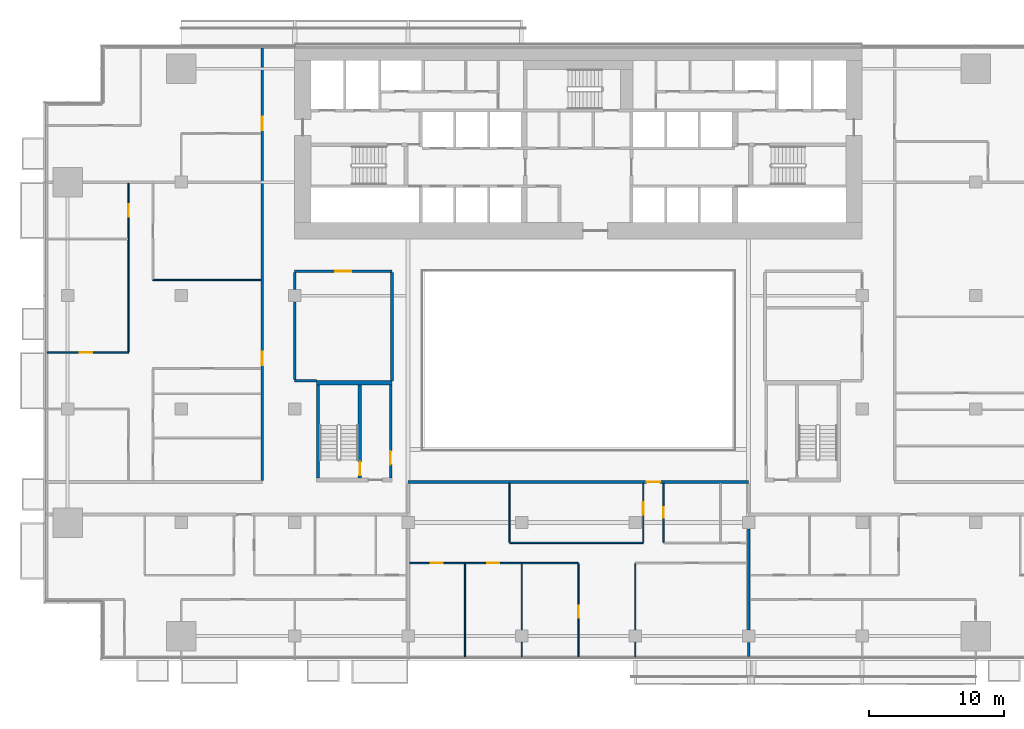
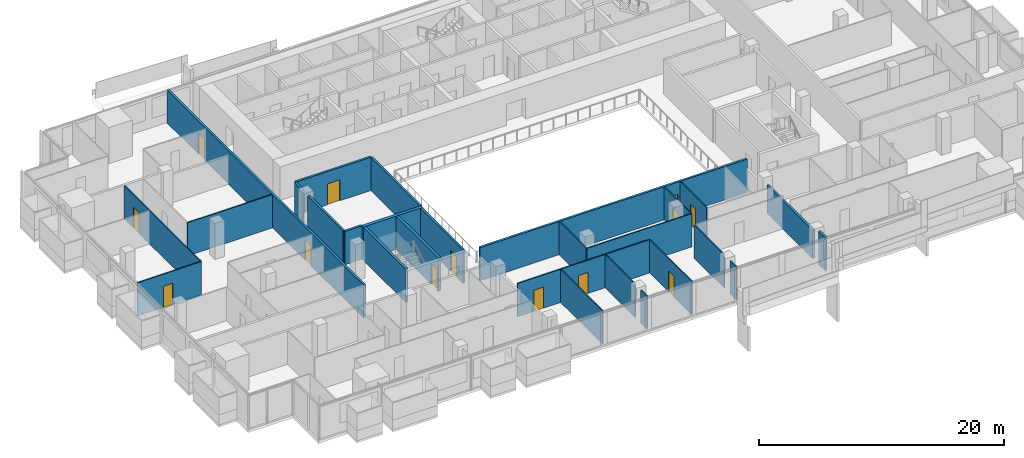
# One storey, part 18 of 27: 27 walls, 13 doors, 13 openings.
"""IFC4 building model written with IfcOpenShell, lengths in metres."""

from ifc_helpers import new_model, si_unit, direction, frame, frame_2d, origin, place, context, subcontext, project, spatial, rectangle, extrude, material, layer, layer_set, type_object, element, fill, save


model = new_model("IFC4")

# Units and contexts
model_context = context("Model", 3, precision=1e-05, world=origin(), true_north=direction((0.0, 1.0)))
body_context = subcontext(model_context, "Body", "Model", "MODEL_VIEW")
ifc_project = project(units=[si_unit("LENGTHUNIT", "METRE"), si_unit("AREAUNIT", "SQUARE_METRE"), si_unit("VOLUMEUNIT", "CUBIC_METRE"), si_unit("PLANEANGLEUNIT", "RADIAN"), si_unit("MASSUNIT", "GRAM", prefix="KILO")], contexts=[model_context])

# Site, building, storey
site_placement = place(None, origin())
site = spatial("IfcSite", under=ifc_project, at=site_placement, CompositionType="ELEMENT")
building_placement = place(site_placement, origin())
building = spatial("IfcBuilding", under=site, at=building_placement, Name="Saffron Gate Tower", CompositionType="ELEMENT")
storey_placement = place(building_placement, frame((0.0, 0.0, 44.39990234375)))
storey = spatial("IfcBuildingStorey", under=building, at=storey_placement, Name="L09", CompositionType="ELEMENT", Elevation=44.39990234375)

# Wall, opening, door
ifc_material_1 = material(Name="Gypsum board partition on steel studs", Category="steel")
ifc_layer_1 = layer(ifc_material_1, 0.199951171875)
ifc_layer_set_1 = layer_set([ifc_layer_1], Name="CW10 Core partition 200")
wall_type_1 = type_object("IfcWallType", Name="CW10 Core partition 200", PredefinedType="PARTITIONING", material=ifc_layer_set_1)
wall_1_placement = place(storey_placement, frame((73.699951171875, 43.5, 0.0), z_axis=(0.0, 0.0, 1.0), x_axis=(0.0, 1.0, 0.0)))
wall_1 = element("IfcWall", 1, at=wall_1_placement, inside=storey, type_object=wall_type_1, Name="Wall CW10-L09-D-4", PredefinedType="PARTITIONING", context=body_context, shape_type="SweptSolid", body=[
    extrude(rectangle(XDim=6.89990234375, YDim=0.199951171875, at=frame_2d((3.449951171875, 0.0))), origin(), (0.0, 0.0, 1.0), 3.320068359375),
])
opening_1_placement = place(wall_1_placement, frame((1.0, 0.0, 0.0)))
opening_1 = element("IfcOpeningElement", 2, at=opening_1_placement, cuts=wall_1, Name="Opening CR-19", PredefinedType="OPENING", context=body_context, shape_type="SweptSolid", body=[
    extrude(rectangle(XDim=1.0, YDim=2.10009765625, at=frame_2d((0.5, 1.050048828125))), frame((0.0, 0.10986328125, 0.0), z_axis=(0.0, -1.0, 0.0), x_axis=(1.0, 0.0, 0.0)), (0.0, 0.0, 1.0), 0.219970703125),
])
ifc_material_2 = material(Name="Steel fire door set", Category="steel")
door_type_1 = type_object("IfcDoorType", Name="CD4 Lobby door 1000x2100 EI 120", OperationType="NOTDEFINED", PredefinedType="DOOR", material=ifc_material_2)
door_1_placement = place(opening_1_placement, origin())
door_1 = element("IfcDoor", 3, at=door_1_placement, inside=storey, type_object=door_type_1, Name="DOOR CR-19", OperationType="SINGLE_SWING_RIGHT", OverallHeight=2.10009765625, OverallWidth=1.0, PredefinedType="DOOR", context=body_context, shape_type="SweptSolid", body=[
    extrude(rectangle(XDim=1.0, YDim=2.10009765625, at=frame_2d((0.5, 1.050048828125))), frame((0.0, 0.02490234375, 0.0), z_axis=(0.0, -1.0, 0.0), x_axis=(1.0, 0.0, 0.0)), (0.0, 0.0, 1.0), 0.050048828125),
])
fill(opening_1, door_1)

# Wall
ifc_material_3 = material(Name="Concrete C70", Category="concrete")
ifc_layer_2 = layer(ifc_material_3, 0.25)
ifc_layer_set_2 = layer_set([ifc_layer_2], Name="CW2 RC core wall 250 C70")
wall_type_2 = type_object("IfcWallType", Name="CW2 RC core wall 250 C70", PredefinedType="SOLIDWALL", material=ifc_layer_set_2)
wall_2_placement = place(storey_placement, frame((68.324951171875, 43.5, 0.0), z_axis=(0.0, 0.0, 1.0), x_axis=(0.0, 1.0, 0.0)))
element("IfcWall", 4, at=wall_2_placement, inside=storey, type_object=wall_type_2, Name="Wall CW2-L09-D-2", PredefinedType="SOLIDWALL", context=body_context, shape_type="SweptSolid", body=[
    extrude(rectangle(XDim=6.89990234375, YDim=0.25, at=frame_2d((3.449951171875, 0.0))), origin(), (0.0, 0.0, 1.0), 3.320068359375),
])

# Wall, opening, door
wall_3_placement = place(storey_placement, frame((71.425048828125, 43.5, 0.0), z_axis=(0.0, 0.0, 1.0), x_axis=(0.0, 1.0, 0.0)))
wall_3 = element("IfcWall", 5, at=wall_3_placement, inside=storey, type_object=wall_type_2, Name="Wall CW2-L09-D-3", PredefinedType="SOLIDWALL", context=body_context, shape_type="SweptSolid", body=[
    extrude(rectangle(XDim=6.89990234375, YDim=0.25, at=frame_2d((3.449951171875, 0.0))), origin(), (0.0, 0.0, 1.0), 3.320068359375),
])
opening_2_placement = place(wall_3_placement, frame((0.199951171875, 0.0, 0.0)))
opening_2 = element("IfcOpeningElement", 6, at=opening_2_placement, cuts=wall_3, Name="Opening CR-20", PredefinedType="OPENING", context=body_context, shape_type="SweptSolid", body=[
    extrude(rectangle(XDim=1.0, YDim=2.10009765625, at=frame_2d((0.5, 1.050048828125))), frame((0.0, 0.135009765625, 0.0), z_axis=(0.0, -1.0, 0.0), x_axis=(1.0, 0.0, 0.0)), (0.0, 0.0, 1.0), 0.27001953125),
])
door_type_2 = type_object("IfcDoorType", Name="CD5 Stair door 1000x2100 EI 120", OperationType="NOTDEFINED", PredefinedType="DOOR", material=ifc_material_2)
door_2_placement = place(opening_2_placement, origin())
door_2 = element("IfcDoor", 7, at=door_2_placement, inside=storey, type_object=door_type_2, Name="DOOR CR-20", OperationType="SINGLE_SWING_LEFT", OverallHeight=2.10009765625, OverallWidth=1.0, PredefinedType="DOOR", context=body_context, shape_type="SweptSolid", body=[
    extrude(rectangle(XDim=1.0, YDim=2.10009765625, at=frame_2d((0.5, 1.050048828125))), frame((0.0, 0.02490234375, 0.0), z_axis=(0.0, -1.0, 0.0), x_axis=(1.0, 0.0, 0.0)), (0.0, 0.0, 1.0), 0.050048828125),
])
fill(opening_2, door_2)

# Wall
ifc_layer_3 = layer(ifc_material_3, 0.300048828125)
ifc_layer_set_3 = layer_set([ifc_layer_3], Name="CW5 RC core wall 300 C70")
wall_type_3 = type_object("IfcWallType", Name="CW5 RC core wall 300 C70", PredefinedType="SOLIDWALL", material=ifc_layer_set_3)
wall_4_placement = place(storey_placement, frame((68.199951171875, 50.550048828125, 0.0), z_axis=(0.0, 0.0, 1.0), x_axis=(1.0, 0.0, 0.0)))
element("IfcWall", 8, at=wall_4_placement, inside=storey, type_object=wall_type_3, Name="Wall CW5-L09-D-5", PredefinedType="SOLIDWALL", context=body_context, shape_type="SweptSolid", body=[
    extrude(rectangle(XDim=5.60009765625, YDim=0.300048828125, at=frame_2d((2.800048828125, 0.0))), origin(), (0.0, 0.0, 1.0), 3.320068359375),
])

# Wall, openings, doors
ifc_material_4 = material(Name="Plasterboard on steel studs", Category="steel")
ifc_layer_4 = layer(ifc_material_4, 0.10009765625)
ifc_layer_set_4 = layer_set([ifc_layer_4], Name="PW1 Partition 100")
wall_type_4 = type_object("IfcWallType", Name="PW1 Partition 100", PredefinedType="PARTITIONING", material=ifc_layer_set_4)
wall_5_placement = place(storey_placement, frame((87.60009765625, 37.199951171875, 0.0), z_axis=(0.0, 0.0, 1.0), x_axis=(-1.0, 0.0, 0.0)))
wall_5 = element("IfcWall", 9, at=wall_5_placement, inside=storey, type_object=wall_type_4, Name="Partition A1-9", PredefinedType="PARTITIONING", context=body_context, shape_type="SweptSolid", body=[
    extrude(rectangle(XDim=12.5, YDim=0.10009765625, at=frame_2d((6.25, 0.0))), origin(), (0.0, 0.0, 1.0), 3.320068359375),
])
opening_3_placement = place(wall_5_placement, frame((5.85009765625, 0.0, 0.0)))
opening_3 = element("IfcOpeningElement", 10, at=opening_3_placement, cuts=wall_5, Name="Opening A1-14", PredefinedType="OPENING", context=body_context, shape_type="SweptSolid", body=[
    extrude(rectangle(XDim=0.89990234375, YDim=2.10009765625, at=frame_2d((0.449951171875, 1.050048828125))), frame((0.0, 0.06005859375, 0.0), z_axis=(0.0, -1.0, 0.0), x_axis=(1.0, 0.0, 0.0)), (0.0, 0.0, 1.0), 0.1201171875),
])
opening_4_placement = place(wall_5_placement, frame((10.050048828125, 0.0, 0.0)))
opening_4 = element("IfcOpeningElement", 11, at=opening_4_placement, cuts=wall_5, Name="Opening A1-13", PredefinedType="OPENING", context=body_context, shape_type="SweptSolid", body=[
    extrude(rectangle(XDim=0.89990234375, YDim=2.10009765625, at=frame_2d((0.449951171875, 1.050048828125))), frame((0.0, 0.06005859375, 0.0), z_axis=(0.0, -1.0, 0.0), x_axis=(1.0, 0.0, 0.0)), (0.0, 0.0, 1.0), 0.1201171875),
])
ifc_material_5 = material(Name="Timber door set", Category="wood")
door_type_3 = type_object("IfcDoorType", Name="RD1 Room door 900x2100", OperationType="NOTDEFINED", PredefinedType="DOOR", material=ifc_material_5)
door_3_placement = place(opening_3_placement, origin())
door_3 = element("IfcDoor", 12, at=door_3_placement, inside=storey, type_object=door_type_3, Name="Door A1-14", OperationType="SINGLE_SWING_RIGHT", OverallHeight=2.10009765625, OverallWidth=0.89990234375, PredefinedType="DOOR", context=body_context, shape_type="SweptSolid", body=[
    extrude(rectangle(XDim=0.89990234375, YDim=2.10009765625, at=frame_2d((0.449951171875, 1.050048828125))), frame((0.0, 0.02490234375, 0.0), z_axis=(0.0, -1.0, 0.0), x_axis=(1.0, 0.0, 0.0)), (0.0, 0.0, 1.0), 0.050048828125),
])
fill(opening_3, door_3)
door_4_placement = place(opening_4_placement, origin())
door_4 = element("IfcDoor", 13, at=door_4_placement, inside=storey, type_object=door_type_3, Name="Door A1-13", OperationType="SINGLE_SWING_RIGHT", OverallHeight=2.10009765625, OverallWidth=0.89990234375, PredefinedType="DOOR", context=body_context, shape_type="SweptSolid", body=[
    extrude(rectangle(XDim=0.89990234375, YDim=2.10009765625, at=frame_2d((0.449951171875, 1.050048828125))), frame((0.0, 0.02490234375, 0.0), z_axis=(0.0, -1.0, 0.0), x_axis=(1.0, 0.0, 0.0)), (0.0, 0.0, 1.0), 0.050048828125),
])
fill(opening_4, door_4)

# Wall
wall_6_placement = place(storey_placement, frame((82.5, 38.699951171875, 0.0), z_axis=(0.0, 0.0, 1.0), x_axis=(1.0, 0.0, 0.0)))
element("IfcWall", 14, at=wall_6_placement, inside=storey, type_object=wall_type_4, Name="Partition A1-11", PredefinedType="PARTITIONING", context=body_context, shape_type="SweptSolid", body=[
    extrude(rectangle(XDim=9.89990234375, YDim=0.10009765625, at=frame_2d((4.949951171875, 0.0))), origin(), (0.0, 0.0, 1.0), 3.320068359375),
])

# Wall, opening, door
wall_7_placement = place(storey_placement, frame((48.280029296875, 52.800048828125, 0.0), z_axis=(0.0, 0.0, 1.0), x_axis=(1.0, 0.0, 0.0)))
wall_7 = element("IfcWall", 15, at=wall_7_placement, inside=storey, type_object=wall_type_4, Name="Partition A1-33", PredefinedType="PARTITIONING", context=body_context, shape_type="SweptSolid", body=[
    extrude(rectangle(XDim=6.02001953125, YDim=0.10009765625, at=frame_2d((3.010009765625, 0.0))), origin(), (0.0, 0.0, 1.0), 3.320068359375),
])
opening_5_placement = place(wall_7_placement, frame((2.419921875, 0.0, 0.0)))
opening_5 = element("IfcOpeningElement", 16, at=opening_5_placement, cuts=wall_7, Name="Opening A1-24", PredefinedType="OPENING", context=body_context, shape_type="SweptSolid", body=[
    extrude(rectangle(XDim=0.89990234375, YDim=2.10009765625, at=frame_2d((0.449951171875, 1.050048828125))), frame((0.0, 0.06005859375, 0.0), z_axis=(0.0, -1.0, 0.0), x_axis=(1.0, 0.0, 0.0)), (0.0, 0.0, 1.0), 0.1201171875),
])
door_5_placement = place(opening_5_placement, origin())
door_5 = element("IfcDoor", 17, at=door_5_placement, inside=storey, type_object=door_type_3, Name="Door A1-24", OperationType="SINGLE_SWING_LEFT", OverallHeight=2.10009765625, OverallWidth=0.89990234375, PredefinedType="DOOR", context=body_context, shape_type="SweptSolid", body=[
    extrude(rectangle(XDim=0.89990234375, YDim=2.10009765625, at=frame_2d((0.449951171875, 1.050048828125))), frame((0.0, 0.02490234375, 0.0), z_axis=(0.0, -1.0, 0.0), x_axis=(1.0, 0.0, 0.0)), (0.0, 0.0, 1.0), 0.050048828125),
])
fill(opening_5, door_5)

# Wall
wall_8_placement = place(storey_placement, frame((56.10009765625, 58.16162109375, 0.0), z_axis=(0.0, 0.0, 1.0), x_axis=(1.0, 0.0, 0.0)))
element("IfcWall", 18, at=wall_8_placement, inside=storey, type_object=wall_type_4, Name="Partition A1-37", PredefinedType="PARTITIONING", context=body_context, shape_type="SweptSolid", body=[
    extrude(rectangle(XDim=8.0, YDim=0.10009765625, at=frame_2d((4.0, 0.0))), origin(), (0.0, 0.0, 1.0), 3.320068359375),
])

# Wall, opening, door
wall_9_placement = place(storey_placement, frame((54.300048828125, 52.85009765625, 0.0), z_axis=(0.0, 0.0, 1.0), x_axis=(0.0, 1.0, 0.0)))
wall_9 = element("IfcWall", 19, at=wall_9_placement, inside=storey, type_object=wall_type_4, Name="Partition A1-54", PredefinedType="PARTITIONING", context=body_context, shape_type="SweptSolid", body=[
    extrude(rectangle(XDim=12.449951171875, YDim=0.10009765625, at=frame_2d((6.22509765625, 0.0))), origin(), (0.0, 0.0, 1.0), 3.320068359375),
])
opening_6_placement = place(wall_9_placement, frame((10.0, 0.0, 0.0)))
opening_6 = element("IfcOpeningElement", 20, at=opening_6_placement, cuts=wall_9, Name="Opening A1-25", PredefinedType="OPENING", context=body_context, shape_type="SweptSolid", body=[
    extrude(rectangle(XDim=0.89990234375, YDim=2.10009765625, at=frame_2d((0.449951171875, 1.050048828125))), frame((0.0, 0.06005859375, 0.0), z_axis=(0.0, -1.0, 0.0), x_axis=(1.0, 0.0, 0.0)), (0.0, 0.0, 1.0), 0.1201171875),
])
door_6_placement = place(opening_6_placement, origin())
door_6 = element("IfcDoor", 21, at=door_6_placement, inside=storey, type_object=door_type_3, Name="Door A1-25", OperationType="SINGLE_SWING_RIGHT", OverallHeight=2.10009765625, OverallWidth=0.89990234375, PredefinedType="DOOR", context=body_context, shape_type="SweptSolid", body=[
    extrude(rectangle(XDim=0.89990234375, YDim=2.10009765625, at=frame_2d((0.449951171875, 1.050048828125))), frame((0.0, 0.02490234375, 0.0), z_axis=(0.0, -1.0, 0.0), x_axis=(1.0, 0.0, 0.0)), (0.0, 0.0, 1.0), 0.050048828125),
])
fill(opening_6, door_6)

# Walls
wall_10_placement = place(storey_placement, frame((79.199951171875, 37.14990234375, 0.0), z_axis=(0.0, 0.0, 1.0), x_axis=(0.0, -1.0, 0.0)))
element("IfcWall", 22, at=wall_10_placement, inside=storey, type_object=wall_type_4, Name="Partition A1-75", PredefinedType="PARTITIONING", context=body_context, shape_type="SweptSolid", body=[
    extrude(rectangle(XDim=6.869873046875, YDim=0.10009765625, at=frame_2d((3.43505859375, 0.0))), origin(), (0.0, 0.0, 1.0), 3.320068359375),
])
wall_11_placement = place(storey_placement, frame((82.5, 43.10009765625, 0.0), z_axis=(0.0, 0.0, 1.0), x_axis=(0.0, -1.0, 0.0)))
element("IfcWall", 23, at=wall_11_placement, inside=storey, type_object=wall_type_4, Name="Partition A1-76", PredefinedType="PARTITIONING", context=body_context, shape_type="SweptSolid", body=[
    extrude(rectangle(XDim=4.35009765625, YDim=0.10009765625, at=frame_2d((2.175048828125, 0.0))), origin(), (0.0, 0.0, 1.0), 3.320068359375),
])
wall_12_placement = place(storey_placement, frame((83.39990234375, 31.330078125, 0.0), z_axis=(0.0, 0.0, 1.0), x_axis=(0.0, -1.0, 0.0)))
element("IfcWall", 24, at=wall_12_placement, inside=storey, type_object=wall_type_4, Name="Partition A1-77", PredefinedType="PARTITIONING", context=body_context, shape_type="SweptSolid", body=[
    extrude(rectangle(XDim=1.050048828125, YDim=0.10009765625, at=frame_2d((0.52490234375, 0.0))), origin(), (0.0, 0.0, 1.0), 3.320068359375),
])
wall_13_placement = place(storey_placement, frame((83.39990234375, 37.14990234375, 0.0), z_axis=(0.0, 0.0, 1.0), x_axis=(0.0, -1.0, 0.0)))
element("IfcWall", 25, at=wall_13_placement, inside=storey, type_object=wall_type_4, Name="Partition A1-78", PredefinedType="PARTITIONING", context=body_context, shape_type="SweptSolid", body=[
    extrude(rectangle(XDim=4.8798828125, YDim=0.10009765625, at=frame_2d((2.43994140625, 0.0))), origin(), (0.0, 0.0, 1.0), 3.320068359375),
])

# Wall, opening, door
wall_14_placement = place(storey_placement, frame((87.60009765625, 30.280029296875, 0.0), z_axis=(0.0, 0.0, 1.0), x_axis=(0.0, 1.0, 0.0)))
wall_14 = element("IfcWall", 26, at=wall_14_placement, inside=storey, type_object=wall_type_4, Name="Partition A1-79", PredefinedType="PARTITIONING", context=body_context, shape_type="SweptSolid", body=[
    extrude(rectangle(XDim=6.869873046875, YDim=0.10009765625, at=frame_2d((3.43505859375, 0.0))), origin(), (0.0, 0.0, 1.0), 3.320068359375),
])
opening_7_placement = place(wall_14_placement, frame((2.8701171875, 0.0, 0.0)))
opening_7 = element("IfcOpeningElement", 27, at=opening_7_placement, cuts=wall_14, Name="Opening A1-15", PredefinedType="OPENING", context=body_context, shape_type="SweptSolid", body=[
    extrude(rectangle(XDim=0.89990234375, YDim=2.10009765625, at=frame_2d((0.449951171875, 1.050048828125))), frame((0.0, 0.06005859375, 0.0), z_axis=(0.0, -1.0, 0.0), x_axis=(1.0, 0.0, 0.0)), (0.0, 0.0, 1.0), 0.1201171875),
])
door_7_placement = place(opening_7_placement, origin())
door_7 = element("IfcDoor", 28, at=door_7_placement, inside=storey, type_object=door_type_3, Name="Door A1-15", OperationType="SINGLE_SWING_LEFT", OverallHeight=2.10009765625, OverallWidth=0.89990234375, PredefinedType="DOOR", context=body_context, shape_type="SweptSolid", body=[
    extrude(rectangle(XDim=0.89990234375, YDim=2.10009765625, at=frame_2d((0.449951171875, 1.050048828125))), frame((0.0, 0.02490234375, 0.0), z_axis=(0.0, -1.0, 0.0), x_axis=(1.0, 0.0, 0.0)), (0.0, 0.0, 1.0), 0.050048828125),
])
fill(opening_7, door_7)

# Walls
wall_15_placement = place(storey_placement, frame((91.800048828125, 31.330078125, 0.0), z_axis=(0.0, 0.0, 1.0), x_axis=(0.0, -1.0, 0.0)))
element("IfcWall", 29, at=wall_15_placement, inside=storey, type_object=wall_type_4, Name="Partition A1-80", PredefinedType="PARTITIONING", context=body_context, shape_type="SweptSolid", body=[
    extrude(rectangle(XDim=1.050048828125, YDim=0.10009765625, at=frame_2d((0.52490234375, 0.0))), origin(), (0.0, 0.0, 1.0), 3.320068359375),
])
wall_16_placement = place(storey_placement, frame((91.800048828125, 37.14990234375, 0.0), z_axis=(0.0, 0.0, 1.0), x_axis=(0.0, -1.0, 0.0)))
element("IfcWall", 30, at=wall_16_placement, inside=storey, type_object=wall_type_4, Name="Partition A1-81", PredefinedType="PARTITIONING", context=body_context, shape_type="SweptSolid", body=[
    extrude(rectangle(XDim=4.8798828125, YDim=0.10009765625, at=frame_2d((2.43994140625, 0.0))), origin(), (0.0, 0.0, 1.0), 3.320068359375),
])

# Wall, opening, door
wall_17_placement = place(storey_placement, frame((92.39990234375, 38.75, 0.0), z_axis=(0.0, 0.0, 1.0), x_axis=(0.0, 1.0, 0.0)))
wall_17 = element("IfcWall", 31, at=wall_17_placement, inside=storey, type_object=wall_type_4, Name="Partition A1-82", PredefinedType="PARTITIONING", context=body_context, shape_type="SweptSolid", body=[
    extrude(rectangle(XDim=4.35009765625, YDim=0.10009765625, at=frame_2d((2.175048828125, 0.0))), origin(), (0.0, 0.0, 1.0), 3.320068359375),
])
opening_8_placement = place(wall_17_placement, frame((2.050048828125, 0.0, 0.0)))
opening_8 = element("IfcOpeningElement", 32, at=opening_8_placement, cuts=wall_17, Name="Opening A1-17", PredefinedType="OPENING", context=body_context, shape_type="SweptSolid", body=[
    extrude(rectangle(XDim=0.89990234375, YDim=2.10009765625, at=frame_2d((0.449951171875, 1.050048828125))), frame((0.0, 0.06005859375, 0.0), z_axis=(0.0, -1.0, 0.0), x_axis=(1.0, 0.0, 0.0)), (0.0, 0.0, 1.0), 0.1201171875),
])
door_8_placement = place(opening_8_placement, origin())
door_8 = element("IfcDoor", 33, at=door_8_placement, inside=storey, type_object=door_type_3, Name="Door A1-17", OperationType="SINGLE_SWING_RIGHT", OverallHeight=2.10009765625, OverallWidth=0.89990234375, PredefinedType="DOOR", context=body_context, shape_type="SweptSolid", body=[
    extrude(rectangle(XDim=0.89990234375, YDim=2.10009765625, at=frame_2d((0.449951171875, 1.050048828125))), frame((0.0, 0.02490234375, 0.0), z_axis=(0.0, -1.0, 0.0), x_axis=(1.0, 0.0, 0.0)), (0.0, 0.0, 1.0), 0.050048828125),
])
fill(opening_8, door_8)

wall_18_placement = place(storey_placement, frame((93.89990234375, 43.10009765625, 0.0), z_axis=(0.0, 0.0, 1.0), x_axis=(0.0, -1.0, 0.0)))
wall_18 = element("IfcWall", 34, at=wall_18_placement, inside=storey, type_object=wall_type_4, Name="Partition A1-83", PredefinedType="PARTITIONING", context=body_context, shape_type="SweptSolid", body=[
    extrude(rectangle(XDim=4.35009765625, YDim=0.10009765625, at=frame_2d((2.175048828125, 0.0))), origin(), (0.0, 0.0, 1.0), 3.320068359375),
])
opening_9_placement = place(wall_18_placement, frame((1.75, 0.0, 0.0)))
opening_9 = element("IfcOpeningElement", 35, at=opening_9_placement, cuts=wall_18, Name="Opening A1-38", PredefinedType="OPENING", context=body_context, shape_type="SweptSolid", body=[
    extrude(rectangle(XDim=0.800048828125, YDim=2.10009765625, at=frame_2d((0.39990234375, 1.050048828125))), frame((0.0, 0.06005859375, 0.0), z_axis=(0.0, -1.0, 0.0), x_axis=(1.0, 0.0, 0.0)), (0.0, 0.0, 1.0), 0.1201171875),
])
door_type_4 = type_object("IfcDoorType", Name="RD2 Bathroom door 800x2100", OperationType="NOTDEFINED", PredefinedType="DOOR", material=ifc_material_5)
door_9_placement = place(opening_9_placement, origin())
door_9 = element("IfcDoor", 36, at=door_9_placement, inside=storey, type_object=door_type_4, Name="Door A1-38", OperationType="SINGLE_SWING_LEFT", OverallHeight=2.10009765625, OverallWidth=0.800048828125, PredefinedType="DOOR", context=body_context, shape_type="SweptSolid", body=[
    extrude(rectangle(XDim=0.800048828125, YDim=2.10009765625, at=frame_2d((0.39990234375, 1.050048828125))), frame((0.0, 0.02490234375, 0.0), z_axis=(0.0, -1.0, 0.0), x_axis=(1.0, 0.0, 0.0)), (0.0, 0.0, 1.0), 0.050048828125),
])
fill(opening_9, door_9)

# Walls
ifc_material_6 = material(Name="Clay brick masonry, rendered", Category="masonry")
ifc_layer_5 = layer(ifc_material_6, 0.199951171875)
ifc_layer_set_5 = layer_set([ifc_layer_5], Name="PW2 Demising wall 200")
wall_type_5 = type_object("IfcWallType", Name="PW2 Demising wall 200", PredefinedType="PARTITIONING", material=ifc_layer_set_5)
wall_19_placement = place(storey_placement, frame((100.199951171875, 31.330078125, 0.0), z_axis=(0.0, 0.0, 1.0), x_axis=(0.0, -1.0, 0.0)))
element("IfcWall", 37, at=wall_19_placement, inside=storey, type_object=wall_type_5, Name="Wall A1-86", PredefinedType="PARTITIONING", context=body_context, shape_type="SweptSolid", body=[
    extrude(rectangle(XDim=1.050048828125, YDim=0.199951171875, at=frame_2d((0.52490234375, 0.0))), origin(), (0.0, 0.0, 1.0), 3.320068359375),
])
wall_20_placement = place(storey_placement, frame((100.199951171875, 39.72998046875, 0.0), z_axis=(0.0, 0.0, 1.0), x_axis=(0.0, -1.0, 0.0)))
element("IfcWall", 38, at=wall_20_placement, inside=storey, type_object=wall_type_5, Name="Wall A1-87", PredefinedType="PARTITIONING", context=body_context, shape_type="SweptSolid", body=[
    extrude(rectangle(XDim=7.4599609375, YDim=0.199951171875, at=frame_2d((3.72998046875, 0.0))), origin(), (0.0, 0.0, 1.0), 2.830078125),
])

# Wall, opening, door
ifc_layer_6 = layer(ifc_material_6, 0.199951171875)
ifc_layer_set_6 = layer_set([ifc_layer_6], Name="PW3 Corridor wall 200")
wall_type_6 = type_object("IfcWallType", Name="PW3 Corridor wall 200", PredefinedType="PARTITIONING", material=ifc_layer_set_6)
wall_21_placement = place(storey_placement, frame((100.199951171875, 43.199951171875, 0.0), z_axis=(0.0, 0.0, 1.0), x_axis=(-1.0, 0.0, 0.0)))
wall_21 = element("IfcWall", 39, at=wall_21_placement, inside=storey, type_object=wall_type_6, Name="Wall A1-18", PredefinedType="PARTITIONING", context=body_context, shape_type="SweptSolid", body=[
    extrude(rectangle(XDim=25.199951171875, YDim=0.199951171875, at=frame_2d((12.60009765625, 0.0))), origin(), (0.0, 0.0, 1.0), 3.320068359375),
])
opening_10_placement = place(wall_21_placement, frame((6.550048828125, 0.0, 0.0)))
opening_10 = element("IfcOpeningElement", 40, at=opening_10_placement, cuts=wall_21, Name="Opening A1-2", PredefinedType="OPENING", context=body_context, shape_type="SweptSolid", body=[
    extrude(rectangle(XDim=1.0, YDim=2.10009765625, at=frame_2d((0.5, 1.050048828125))), frame((0.0, 0.10986328125, 0.0), z_axis=(0.0, -1.0, 0.0), x_axis=(1.0, 0.0, 0.0)), (0.0, 0.0, 1.0), 0.219970703125),
])
ifc_material_7 = material(Name="Timber fire door set", Category="wood")
door_type_5 = type_object("IfcDoorType", Name="FD1 Flat entry door 1000x2100", OperationType="NOTDEFINED", PredefinedType="DOOR", material=ifc_material_7)
door_10_placement = place(opening_10_placement, origin())
door_10 = element("IfcDoor", 41, at=door_10_placement, inside=storey, type_object=door_type_5, Name="Door A1-2", OperationType="SINGLE_SWING_RIGHT", OverallHeight=2.10009765625, OverallWidth=1.0, PredefinedType="DOOR", context=body_context, shape_type="SweptSolid", body=[
    extrude(rectangle(XDim=1.0, YDim=2.10009765625, at=frame_2d((0.5, 1.050048828125))), frame((0.0, 0.02490234375, 0.0), z_axis=(0.0, -1.0, 0.0), x_axis=(1.0, 0.0, 0.0)), (0.0, 0.0, 1.0), 0.050048828125),
])
fill(opening_10, door_10)

# Wall
wall_22_placement = place(storey_placement, frame((66.60009765625, 50.699951171875, 0.0), z_axis=(0.0, 0.0, 1.0), x_axis=(1.0, 0.0, 0.0)))
element("IfcWall", 42, at=wall_22_placement, inside=storey, type_object=wall_type_6, Name="Wall A1-30", PredefinedType="PARTITIONING", context=body_context, shape_type="SweptSolid", body=[
    extrude(rectangle(XDim=1.599853515625, YDim=0.199951171875, at=frame_2d((0.7998046875, 0.0))), origin(), (0.0, 0.0, 1.0), 3.320068359375),
])

# Wall, opening, door
wall_23_placement = place(storey_placement, frame((73.800048828125, 58.800048828125, 0.0), z_axis=(0.0, 0.0, 1.0), x_axis=(-1.0, 0.0, 0.0)))
wall_23 = element("IfcWall", 43, at=wall_23_placement, inside=storey, type_object=wall_type_6, Name="Wall A1-38", PredefinedType="PARTITIONING", context=body_context, shape_type="SweptSolid", body=[
    extrude(rectangle(XDim=7.199951171875, YDim=0.199951171875, at=frame_2d((3.60009765625, 0.0))), origin(), (0.0, 0.0, 1.0), 3.320068359375),
])
opening_11_placement = place(wall_23_placement, frame((3.0, 0.0, 0.0)))
opening_11 = element("IfcOpeningElement", 44, at=opening_11_placement, cuts=wall_23, Name="Opening A1-49", PredefinedType="OPENING", context=body_context, shape_type="SweptSolid", body=[
    extrude(rectangle(XDim=1.199951171875, YDim=2.10009765625, at=frame_2d((0.60009765625, 1.050048828125))), frame((0.0, 0.10986328125, 0.0), z_axis=(0.0, -1.0, 0.0), x_axis=(1.0, 0.0, 0.0)), (0.0, 0.0, 1.0), 0.219970703125),
])
door_type_6 = type_object("IfcDoorType", Name="HD1 Hall door 1200x2100", OperationType="NOTDEFINED", PredefinedType="DOOR", material=ifc_material_5)
door_11_placement = place(opening_11_placement, origin())
door_11 = element("IfcDoor", 45, at=door_11_placement, inside=storey, type_object=door_type_6, Name="Door A1-49", OperationType="SINGLE_SWING_LEFT", OverallHeight=2.10009765625, OverallWidth=1.199951171875, PredefinedType="DOOR", context=body_context, shape_type="SweptSolid", body=[
    extrude(rectangle(XDim=1.199951171875, YDim=2.10009765625, at=frame_2d((0.60009765625, 1.050048828125))), frame((0.0, 0.02490234375, 0.0), z_axis=(0.0, -1.0, 0.0), x_axis=(1.0, 0.0, 0.0)), (0.0, 0.0, 1.0), 0.050048828125),
])
fill(opening_11, door_11)

# Wall, openings, doors
wall_24_placement = place(storey_placement, frame((64.199951171875, 43.300048828125, 0.0), z_axis=(0.0, 0.0, 1.0), x_axis=(0.0, 1.0, 0.0)))
wall_24 = element("IfcWall", 46, at=wall_24_placement, inside=storey, type_object=wall_type_6, Name="Wall A1-64", PredefinedType="PARTITIONING", context=body_context, shape_type="SweptSolid", body=[
    extrude(rectangle(XDim=32.02001953125, YDim=0.199951171875, at=frame_2d((16.010009765625, 0.0))), origin(), (0.0, 0.0, 1.0), 3.320068359375),
])
opening_12_placement = place(wall_24_placement, frame((8.550048828125, 0.0, 0.0)))
opening_12 = element("IfcOpeningElement", 47, at=opening_12_placement, cuts=wall_24, Name="Opening A1-4", PredefinedType="OPENING", context=body_context, shape_type="SweptSolid", body=[
    extrude(rectangle(XDim=1.0, YDim=2.10009765625, at=frame_2d((0.5, 1.050048828125))), frame((0.0, 0.10986328125, 0.0), z_axis=(0.0, -1.0, 0.0), x_axis=(1.0, 0.0, 0.0)), (0.0, 0.0, 1.0), 0.219970703125),
])
opening_13_placement = place(wall_24_placement, frame((25.949951171875, 0.0, 0.0)))
opening_13 = element("IfcOpeningElement", 48, at=opening_13_placement, cuts=wall_24, Name="Opening A1-5", PredefinedType="OPENING", context=body_context, shape_type="SweptSolid", body=[
    extrude(rectangle(XDim=1.0, YDim=2.10009765625, at=frame_2d((0.5, 1.050048828125))), frame((0.0, 0.10986328125, 0.0), z_axis=(0.0, -1.0, 0.0), x_axis=(1.0, 0.0, 0.0)), (0.0, 0.0, 1.0), 0.219970703125),
])
door_12_placement = place(opening_12_placement, origin())
door_12 = element("IfcDoor", 49, at=door_12_placement, inside=storey, type_object=door_type_5, Name="Door A1-4", OperationType="SINGLE_SWING_RIGHT", OverallHeight=2.10009765625, OverallWidth=1.0, PredefinedType="DOOR", context=body_context, shape_type="SweptSolid", body=[
    extrude(rectangle(XDim=1.0, YDim=2.10009765625, at=frame_2d((0.5, 1.050048828125))), frame((0.0, 0.02490234375, 0.0), z_axis=(0.0, -1.0, 0.0), x_axis=(1.0, 0.0, 0.0)), (0.0, 0.0, 1.0), 0.050048828125),
])
fill(opening_12, door_12)
door_13_placement = place(opening_13_placement, origin())
door_13 = element("IfcDoor", 50, at=door_13_placement, inside=storey, type_object=door_type_5, Name="Door A1-5", OperationType="SINGLE_SWING_LEFT", OverallHeight=2.10009765625, OverallWidth=1.0, PredefinedType="DOOR", context=body_context, shape_type="SweptSolid", body=[
    extrude(rectangle(XDim=1.0, YDim=2.10009765625, at=frame_2d((0.5, 1.050048828125))), frame((0.0, 0.02490234375, 0.0), z_axis=(0.0, -1.0, 0.0), x_axis=(1.0, 0.0, 0.0)), (0.0, 0.0, 1.0), 0.050048828125),
])
fill(opening_13, door_13)

# Walls
wall_25_placement = place(storey_placement, frame((66.60009765625, 56.530029296875, 0.0), z_axis=(0.0, 0.0, 1.0), x_axis=(0.0, -1.0, 0.0)))
element("IfcWall", 51, at=wall_25_placement, inside=storey, type_object=wall_type_6, Name="Wall A1-65", PredefinedType="PARTITIONING", context=body_context, shape_type="SweptSolid", body=[
    extrude(rectangle(XDim=5.72998046875, YDim=0.199951171875, at=frame_2d((2.864990234375, 0.0))), origin(), (0.0, 0.0, 1.0), 3.320068359375),
])
wall_26_placement = place(storey_placement, frame((66.60009765625, 58.699951171875, 0.0), z_axis=(0.0, 0.0, 1.0), x_axis=(0.0, -1.0, 0.0)))
element("IfcWall", 52, at=wall_26_placement, inside=storey, type_object=wall_type_6, Name="Wall A1-66", PredefinedType="PARTITIONING", context=body_context, shape_type="SweptSolid", body=[
    extrude(rectangle(XDim=1.22998046875, YDim=0.199951171875, at=frame_2d((0.614990234375, 0.0))), origin(), (0.0, 0.0, 1.0), 3.320068359375),
])
wall_27_placement = place(storey_placement, frame((73.800048828125, 58.699951171875, 0.0), z_axis=(0.0, 0.0, 1.0), x_axis=(0.0, -1.0, 0.0)))
element("IfcWall", 53, at=wall_27_placement, inside=storey, type_object=wall_type_6, Name="Wall A1-71", PredefinedType="PARTITIONING", context=body_context, shape_type="SweptSolid", body=[
    extrude(rectangle(XDim=8.0, YDim=0.199951171875, at=frame_2d((4.0, 0.0))), origin(), (0.0, 0.0, 1.0), 3.320068359375),
])

save(model, "model.ifc")
